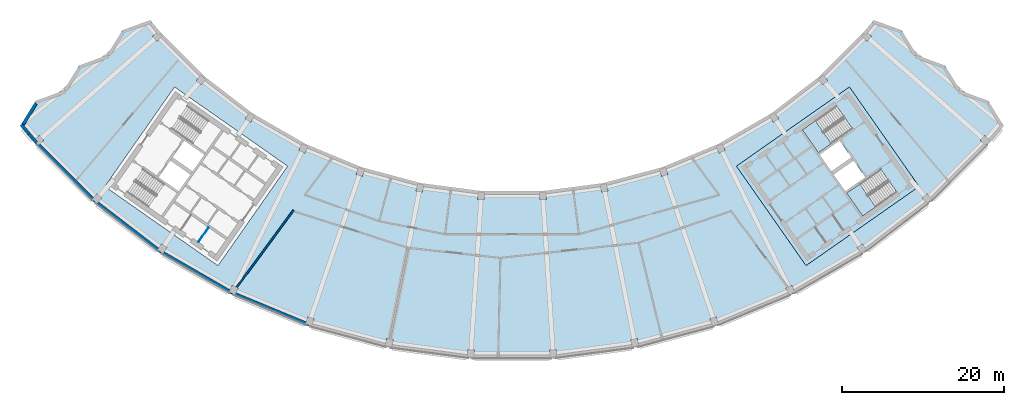
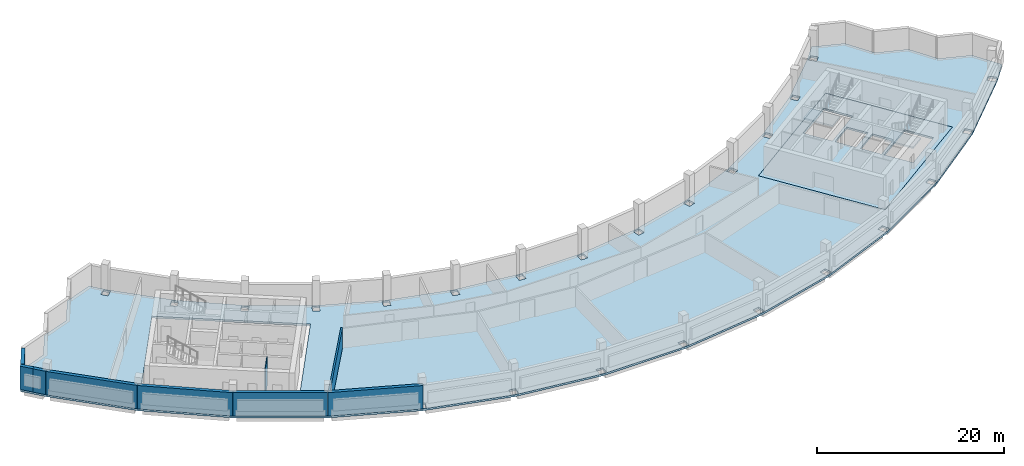
# One storey, part 2 of 11: 9 walls, 4 slabs, 2 elements without a shape of their own.
"""IFC4 building model written with IfcOpenShell, lengths in metres."""

from ifc_helpers import new_model, si_unit, direction, frame, frame_2d, origin, place, context, subcontext, project, spatial, polyline, rectangle, outline, extrude, material, layer, layer_set, type_object, element, aggregate, save


model = new_model("IFC4")

# Units and contexts
model_context = context("Model", 3, precision=1e-05, world=origin(), true_north=direction((0.0, 1.0)))
body_context = subcontext(model_context, "Body", "Model", "MODEL_VIEW")
ifc_project = project(units=[si_unit("LENGTHUNIT", "METRE"), si_unit("AREAUNIT", "SQUARE_METRE"), si_unit("VOLUMEUNIT", "CUBIC_METRE"), si_unit("PLANEANGLEUNIT", "RADIAN"), si_unit("MASSUNIT", "GRAM", prefix="KILO")], contexts=[model_context])

# Site, building, storey
site_placement = place(None, origin())
site = spatial("IfcSite", under=ifc_project, at=site_placement, CompositionType="ELEMENT")
building_placement = place(site_placement, origin())
building = spatial("IfcBuilding", under=site, at=building_placement, Name="Qamariyya Broadcast Tower", CompositionType="ELEMENT")
storey_placement = place(building_placement, frame((0.0, 0.0, 298.699951171875)))
storey = spatial("IfcBuildingStorey", under=building, at=storey_placement, Name="L72", CompositionType="ELEMENT", Elevation=298.699951171875)

# Slabs
ifc_material_1 = material(Name="Concrete C40/50", Category="concrete")
ifc_layer_1 = layer(ifc_material_1, 0.25)
ifc_layer_set_1 = layer_set([ifc_layer_1], Name="Core floor slab 250 mm Concrete C40/50")
slab_type_1 = type_object("IfcSlabType", Name="Core floor slab 250 mm Concrete C40/50", PredefinedType="FLOOR", material=ifc_layer_set_1)
slab_1_placement = place(storey_placement, frame((0.0, 0.0, -0.25)))
element("IfcSlab", 1, at=slab_1_placement, inside=storey, type_object=slab_type_1, Name="k-E-L72-slab", PredefinedType="FLOOR", context=body_context, shape_type="SweptSolid", body=[
    extrude(outline(polyline([(36.32373046875, -66.734375), (50.286376953125, -56.95751953125), (41.6826171875, -44.67041015625), (27.719970703125, -54.447021484375), (36.32373046875, -66.734375)]), holes=[polyline([(39.742431640625, -55.489990234375), (42.199951171875, -53.769287109375), (43.6337890625, -55.817138671875), (41.17626953125, -57.537841796875), (39.742431640625, -55.489990234375)]), polyline([(39.45556640625, -55.080322265625), (41.9130859375, -53.359619140625), (40.47900390625, -51.311767578125), (38.021728515625, -53.032470703125), (39.45556640625, -55.080322265625)]), polyline([(40.082275390625, -47.01171875), (35.870849609375, -49.960693359375), (37.849609375, -52.78662109375), (42.06103515625, -49.837890625), (40.082275390625, -47.01171875)]), polyline([(45.559814453125, -54.834716796875), (41.348388671875, -57.783447265625), (43.3271484375, -60.609619140625), (47.538818359375, -57.66064453125), (45.559814453125, -54.834716796875)])]), origin(), (0.0, 0.0, 1.0), 0.25),
])
ifc_layer_2 = layer(ifc_material_1, 0.25)
ifc_layer_set_2 = layer_set([ifc_layer_2], Name="Post-tensioned floor slab 250 C40/50")
slab_type_2 = type_object("IfcSlabType", Name="Post-tensioned floor slab 250 C40/50", PredefinedType="FLOOR", material=ifc_layer_set_2)
slab_2_placement = place(storey_placement, frame((0.0, 0.0, -0.25)))
element("IfcSlab", 2, at=slab_2_placement, inside=storey, type_object=slab_type_2, Name="Floor slab S5 L72", PredefinedType="FLOOR", context=body_context, shape_type="SweptSolid", body=[
    extrude(outline(polyline([(-58.822509765625, -46.367431640625), (-60.746826171875, -49.482666015625), (-58.90673828125, -51.65966796875), (-51.65966796875, -58.90673828125), (-43.52880859375, -65.145751953125), (-34.6533203125, -70.27001953125), (-25.184814453125, -74.19189453125), (-15.285400390625, -76.844482421875), (-5.124267578125, -78.18212890625), (5.124267578125, -78.18212890625), (15.285400390625, -76.844482421875), (25.184814453125, -74.19189453125), (34.6533203125, -70.27001953125), (43.52880859375, -65.145751953125), (51.65966796875, -58.90673828125), (58.90673828125, -51.65966796875), (60.746826171875, -49.482666015625), (58.822509765625, -46.367431640625), (55.397216796875, -45.125), (53.471923828125, -42.009033203125), (50.04736328125, -40.76708984375), (48.12109375, -37.650634765625), (44.697509765625, -36.409423828125), (43.343505859375, -38.01123046875), (38.01123046875, -43.343505859375), (32.028564453125, -47.934326171875), (25.498046875, -51.704833984375), (18.531005859375, -54.590576171875), (11.2470703125, -56.542236328125), (3.7705078125, -57.526611328125), (-3.7705078125, -57.526611328125), (-11.2470703125, -56.542236328125), (-18.531005859375, -54.590576171875), (-25.498046875, -51.704833984375), (-32.028564453125, -47.934326171875), (-38.01123046875, -43.343505859375), (-43.343505859375, -38.01123046875), (-44.697509765625, -36.409423828125), (-48.12109375, -37.650634765625), (-50.04736328125, -40.76708984375), (-53.471923828125, -42.009033203125), (-55.397216796875, -45.125), (-58.822509765625, -46.367431640625)]), holes=[polyline([(-4.71533203125, -78.058837890625), (-5.513671875, -78.00634765625), (-5.454833984375, -77.1083984375), (-4.656494140625, -77.16064453125), (-4.71533203125, -78.058837890625)]), polyline([(-15.6484375, -76.619384765625), (-15.472900390625, -75.736572265625), (-14.688232421875, -75.892822265625), (-14.86376953125, -76.775390625), (-15.6484375, -76.619384765625)]), polyline([(-25.515380859375, -73.92138671875), (-25.22607421875, -73.069091796875), (-24.468505859375, -73.326171875), (-24.7578125, -74.178466796875), (-25.515380859375, -73.92138671875)]), polyline([(-34.94580078125, -69.95849609375), (-34.547607421875, -69.1513671875), (-33.830078125, -69.505126953125), (-34.228271484375, -70.312255859375), (-34.94580078125, -69.95849609375)]), polyline([(-43.778076171875, -64.798583984375), (-43.278076171875, -64.05029296875), (-42.613037109375, -64.494873046875), (-43.113037109375, -65.2431640625), (-43.778076171875, -64.798583984375)]), polyline([(-51.861572265625, -58.530029296875), (-51.26806640625, -57.853515625), (-50.666748046875, -58.380859375), (-51.260009765625, -59.0576171875), (-51.861572265625, -58.530029296875)]), polyline([(-4.23828125, -58.548095703125), (-4.179443359375, -57.650146484375), (-3.381103515625, -57.702392578125), (-3.43994140625, -58.6005859375), (-4.23828125, -58.548095703125)]), polyline([(-11.843994140625, -57.494140625), (-11.66845703125, -56.611328125), (-10.8837890625, -56.767333984375), (-11.0595703125, -57.650146484375), (-11.843994140625, -57.494140625)]), polyline([(-50.286376953125, -56.95751953125), (-41.6826171875, -44.67041015625), (-27.719970703125, -54.447021484375), (-36.32373046875, -66.734375), (-50.286376953125, -56.95751953125)]), polyline([(-19.247314453125, -55.456298828125), (-18.9580078125, -54.60400390625), (-18.200439453125, -54.861083984375), (-18.48974609375, -55.71337890625), (-19.247314453125, -55.456298828125)]), polyline([(-26.321044921875, -52.469482421875), (-25.923095703125, -51.662353515625), (-25.20556640625, -52.01611328125), (-25.603515625, -52.8232421875), (-26.321044921875, -52.469482421875)]), polyline([(-59.0576171875, -51.260009765625), (-58.380859375, -50.666748046875), (-57.853515625, -51.26806640625), (-58.530029296875, -51.861572265625), (-59.0576171875, -51.260009765625)]), polyline([(-32.944580078125, -48.5849609375), (-32.444580078125, -47.836669921875), (-31.779296875, -48.28125), (-32.279296875, -49.029541015625), (-32.944580078125, -48.5849609375)]), polyline([(-39.00439453125, -43.869140625), (-38.410888671875, -43.192626953125), (-37.8095703125, -43.719970703125), (-38.40283203125, -44.396728515625), (-39.00439453125, -43.869140625)]), polyline([(-44.396728515625, -38.40283203125), (-43.719970703125, -37.8095703125), (-43.192626953125, -38.410888671875), (-43.869140625, -39.00439453125), (-44.396728515625, -38.40283203125)]), polyline([(5.513671875, -78.00634765625), (4.71533203125, -78.058837890625), (4.656494140625, -77.16064453125), (5.454833984375, -77.1083984375), (5.513671875, -78.00634765625)]), polyline([(14.86376953125, -76.775390625), (14.688232421875, -75.892822265625), (15.472900390625, -75.736572265625), (15.6484375, -76.619384765625), (14.86376953125, -76.775390625)]), polyline([(24.7578125, -74.178466796875), (24.468505859375, -73.326171875), (25.22607421875, -73.069091796875), (25.515380859375, -73.92138671875), (24.7578125, -74.178466796875)]), polyline([(34.228271484375, -70.312255859375), (33.830078125, -69.505126953125), (34.547607421875, -69.1513671875), (34.94580078125, -69.95849609375), (34.228271484375, -70.312255859375)]), polyline([(43.113037109375, -65.2431640625), (42.613037109375, -64.494873046875), (43.278076171875, -64.05029296875), (43.778076171875, -64.798583984375), (43.113037109375, -65.2431640625)]), polyline([(51.260009765625, -59.0576171875), (50.666748046875, -58.380859375), (51.26806640625, -57.853515625), (51.861572265625, -58.530029296875), (51.260009765625, -59.0576171875)]), polyline([(3.43994140625, -58.6005859375), (3.381103515625, -57.702392578125), (4.179443359375, -57.650146484375), (4.23828125, -58.548095703125), (3.43994140625, -58.6005859375)]), polyline([(11.0595703125, -57.650146484375), (10.8837890625, -56.767333984375), (11.66845703125, -56.611328125), (11.843994140625, -57.494140625), (11.0595703125, -57.650146484375)]), polyline([(36.32373046875, -66.734375), (27.719970703125, -54.447021484375), (41.6826171875, -44.67041015625), (50.286376953125, -56.95751953125), (36.32373046875, -66.734375)]), polyline([(18.48974609375, -55.71337890625), (18.200439453125, -54.861083984375), (18.9580078125, -54.60400390625), (19.247314453125, -55.456298828125), (18.48974609375, -55.71337890625)]), polyline([(25.603515625, -52.8232421875), (25.20556640625, -52.01611328125), (25.923095703125, -51.662353515625), (26.321044921875, -52.469482421875), (25.603515625, -52.8232421875)]), polyline([(58.530029296875, -51.861572265625), (57.853515625, -51.26806640625), (58.380859375, -50.666748046875), (59.0576171875, -51.260009765625), (58.530029296875, -51.861572265625)]), polyline([(32.279296875, -49.029541015625), (31.779296875, -48.28125), (32.444580078125, -47.836669921875), (32.944580078125, -48.5849609375), (32.279296875, -49.029541015625)]), polyline([(38.40283203125, -44.396728515625), (37.8095703125, -43.719970703125), (38.410888671875, -43.192626953125), (39.00439453125, -43.869140625), (38.40283203125, -44.396728515625)]), polyline([(43.869140625, -39.00439453125), (43.192626953125, -38.410888671875), (43.719970703125, -37.8095703125), (44.396728515625, -38.40283203125), (43.869140625, -39.00439453125)])]), origin(), (0.0, 0.0, 1.0), 0.25),
])

# Stair, slab
ifc_material_2 = material(Name="Concrete C50/60", Category="concrete")
stair_type = type_object("IfcStairType", Name="Exit stair 24 risers of 167 mm", PredefinedType="HALF_TURN_STAIR", material=ifc_material_2)
stair_1_placement = place(storey_placement, origin())
stair_1 = element("IfcStair", 3, at=stair_1_placement, inside=storey, type_object=stair_type, Name="L72 Stair E2", PredefinedType="HALF_TURN_STAIR")
ifc_layer_3 = layer(ifc_material_2, 0.199951171875)
ifc_layer_set_3 = layer_set([ifc_layer_3], Name="Stair landing")
slab_type_3 = type_object("IfcSlabType", Name="Stair landing", PredefinedType="LANDING", material=ifc_layer_set_3)
slab_3_placement = place(storey_placement, frame((0.0, 0.0, 1.800048828125)))
slab_3 = element("IfcSlab", 4, at=slab_3_placement, type_object=slab_type_3, Name="ST-E2 landing 1", PredefinedType="LANDING", context=body_context, shape_type="SweptSolid", body=[
    extrude(outline(polyline([(37.475830078125, -48.8369140625), (35.870849609375, -49.960693359375), (37.849609375, -52.78662109375), (39.45458984375, -51.662841796875), (37.475830078125, -48.8369140625)])), origin(), (0.0, 0.0, 1.0), 0.199951171875),
])
aggregate(stair_1, [slab_3])

stair_2_placement = place(storey_placement, origin())
stair_2 = element("IfcStair", 5, at=stair_2_placement, inside=storey, type_object=stair_type, Name="L72 Stair E1", PredefinedType="HALF_TURN_STAIR")
slab_4_placement = place(storey_placement, frame((0.0, 0.0, 1.800048828125)))
slab_4 = element("IfcSlab", 6, at=slab_4_placement, type_object=slab_type_3, Name="ST-E1 landing 1", PredefinedType="LANDING", context=body_context, shape_type="SweptSolid", body=[
    extrude(outline(polyline([(42.953369140625, -56.65966796875), (41.348388671875, -57.783447265625), (43.3271484375, -60.609619140625), (44.93212890625, -59.48583984375), (42.953369140625, -56.65966796875)])), origin(), (0.0, 0.0, 1.0), 0.199951171875),
])
aggregate(stair_2, [slab_4])

# Walls
ifc_material_3 = material(Name="Masonry block wall", Category="masonry")
ifc_layer_4 = layer(ifc_material_3, 0.199951171875)
ifc_layer_set_4 = layer_set([ifc_layer_4], Name="Plant room wall 200 EI 120")
wall_type_1 = type_object("IfcWallType", Name="Plant room wall 200 EI 120", PredefinedType="PARTITIONING", material=ifc_layer_set_4)
wall_1_placement = place(storey_placement, frame((-26.998046875, -59.89892578125, 0.0), z_axis=(0.0, 0.0, 1.0), x_axis=(-0.593866233023, -0.804563793167, 0.0)))
element("IfcWall", 7, at=wall_1_placement, inside=storey, type_object=wall_type_1, Name="Partition L72-002", PredefinedType="PARTITIONING", context=body_context, shape_type="SweptSolid", body=[
    extrude(rectangle(XDim=12.6904296875, YDim=0.199951171875, at=frame_2d((6.34521484375, 0.0))), origin(), (0.0, 0.0, 1.0), 2.60009765625),
])
ifc_material_4 = material(Name="Fire-rated gypsum shaft liner on steel studs", Category="steel")
ifc_layer_5 = layer(ifc_material_4, 0.10009765625)
ifc_layer_set_5 = layer_set([ifc_layer_5], Name="Riser wall 100 mm")
wall_type_2 = type_object("IfcWallType", Name="Riser wall 100 mm", PredefinedType="PLUMBINGWALL", material=ifc_layer_set_5)
wall_2_placement = place(storey_placement, frame((-37.47802734375, -62.01953125, 0.0), z_axis=(0.0, 0.0, 1.0), x_axis=(-0.573581496053, -0.819148501424, 0.0)))
element("IfcWall", 8, at=wall_2_placement, inside=storey, type_object=wall_type_2, Name="k-W-L72-SP265", PredefinedType="PLUMBINGWALL", context=body_context, shape_type="SweptSolid", body=[
    extrude(rectangle(XDim=2.2001953125, YDim=0.10009765625, at=frame_2d((1.10009765625, 0.0))), origin(), (0.0, 0.0, 1.0), 3.75),
])
ifc_material_5 = material(Name="Terracotta", Category="masonry")
ifc_layer_6 = layer(ifc_material_5, 0.39990234375)
ifc_layer_set_6 = layer_set([ifc_layer_6], Name="Solid terracotta louvred band wall 400")
wall_type_3 = type_object("IfcWallType", Name="Solid terracotta louvred band wall 400", PredefinedType="SOLIDWALL", material=ifc_layer_set_6)
wall_3_placement = place(storey_placement, frame((-58.805419921875, -46.720458984375, 0.0), z_axis=(0.0, 0.0, 1.0), x_axis=(-0.525538284274, -0.850769952315, 0.0)))
element("IfcWall", 9, at=wall_3_placement, inside=storey, type_object=wall_type_3, Name="e-wl-L72-capW5", PredefinedType="SOLIDWALL", context=body_context, shape_type="SweptSolid", body=[
    extrude(rectangle(XDim=2.976318359375, YDim=0.39990234375, at=frame_2d((1.48828125, 0.0))), origin(), (0.0, 0.0, 1.0), 3.050048828125),
])
wall_4_placement = place(storey_placement, frame((-60.623046875, -49.3193359375, 0.0), z_axis=(0.0, 0.0, 1.0), x_axis=(0.645510358639, -0.763751515148, 0.0)))
element("IfcWall", 10, at=wall_4_placement, inside=storey, type_object=wall_type_3, Name="e-wl-L72-out00", PredefinedType="SOLIDWALL", context=body_context, shape_type="SweptSolid", body=[
    extrude(rectangle(XDim=1.47021484375, YDim=0.39990234375, at=frame_2d((0.735107421875, 0.0))), origin(), (0.0, 0.0, 1.0), 3.050048828125),
])
wall_5_placement = place(storey_placement, frame((-59.674072265625, -50.442138671875, 0.0), z_axis=(0.0, 0.0, 1.0), x_axis=(0.645651771062, -0.763631973221, 0.0)))
element("IfcWall", 11, at=wall_5_placement, inside=storey, type_object=wall_type_3, Name="e-wl-L72-out01", PredefinedType="SOLIDWALL", context=body_context, shape_type="SweptSolid", body=[
    extrude(rectangle(XDim=1.431884765625, YDim=0.39990234375, at=frame_2d((0.7158203125, 0.0))), origin(), (0.0, 0.0, 1.0), 3.050048828125),
])
wall_6_placement = place(storey_placement, frame((-58.737060546875, -51.546630859375, 0.0), z_axis=(0.0, 0.0, 1.0), x_axis=(0.707118813872, -0.707094748296, 0.0)))
element("IfcWall", 12, at=wall_6_placement, inside=storey, type_object=wall_type_3, Name="e-wl-L72-out10", PredefinedType="SOLIDWALL", context=body_context, shape_type="SweptSolid", body=[
    extrude(rectangle(XDim=10.144775390625, YDim=0.39990234375, at=frame_2d((5.072265625, 0.0))), origin(), (0.0, 0.0, 1.0), 3.050048828125),
])
wall_7_placement = place(storey_placement, frame((-51.54736328125, -58.74072265625, 0.0), z_axis=(0.0, 0.0, 1.0), x_axis=(0.793354972355, -0.608759302055, 0.0)))
element("IfcWall", 13, at=wall_7_placement, inside=storey, type_object=wall_type_3, Name="e-wl-L72-out20", PredefinedType="SOLIDWALL", context=body_context, shape_type="SweptSolid", body=[
    extrude(rectangle(XDim=10.2724609375, YDim=0.39990234375, at=frame_2d((5.13623046875, 0.0))), origin(), (0.0, 0.0, 1.0), 3.050048828125),
])
wall_8_placement = place(storey_placement, frame((-43.37353515625, -65.00439453125, 0.0), z_axis=(0.0, 0.0, 1.0), x_axis=(0.866019679839, -0.500009914033, 0.0)))
element("IfcWall", 14, at=wall_8_placement, inside=storey, type_object=wall_type_3, Name="e-wl-L72-out30", PredefinedType="SOLIDWALL", context=body_context, shape_type="SweptSolid", body=[
    extrude(rectangle(XDim=10.120849609375, YDim=0.39990234375, at=frame_2d((5.060546875, 0.0))), origin(), (0.0, 0.0, 1.0), 3.050048828125),
])
wall_9_placement = place(storey_placement, frame((-34.587646484375, -70.08056640625, 0.0), z_axis=(0.0, 0.0, 1.0), x_axis=(0.923877211741, -0.382689035152, 0.0)))
element("IfcWall", 15, at=wall_9_placement, inside=storey, type_object=wall_type_3, Name="e-wl-L72-out40", PredefinedType="SOLIDWALL", context=body_context, shape_type="SweptSolid", body=[
    extrude(rectangle(XDim=10.2724609375, YDim=0.39990234375, at=frame_2d((5.13623046875, 0.0))), origin(), (0.0, 0.0, 1.0), 3.050048828125),
])

save(model, "model.ifc")
